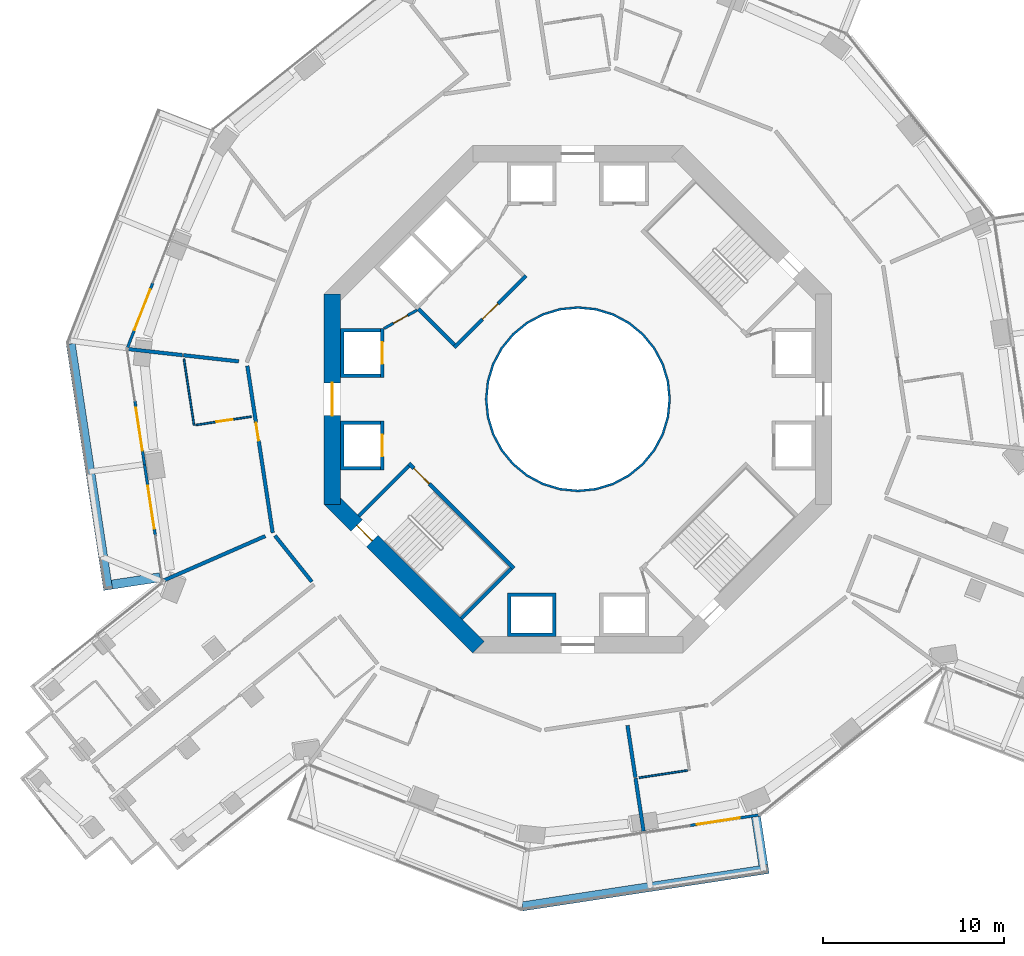
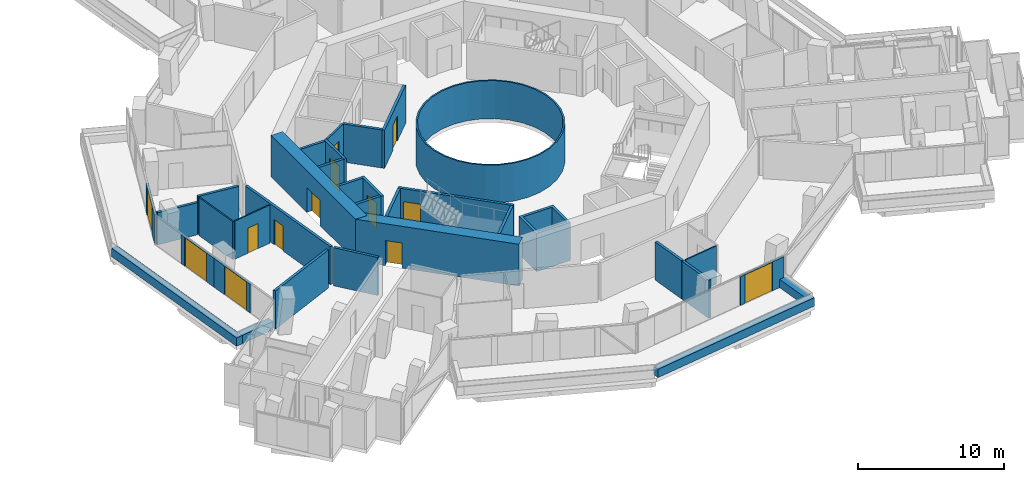
# One storey, part 20 of 28: 32 walls, 13 doors, 13 openings.
"""IFC4 building model written with IfcOpenShell, lengths in metres."""

from ifc_helpers import new_model, si_unit, direction, frame, frame_2d, origin, place, context, subcontext, project, spatial, polyline, rectangle, outline, extrude, material, layer, layer_set, type_object, element, fill, save


model = new_model("IFC4")

# Units and contexts
model_context = context("Model", 3, precision=1e-05, world=origin(), true_north=direction((0.0, 1.0)))
body_context = subcontext(model_context, "Body", "Model", "MODEL_VIEW")
ifc_project = project(units=[si_unit("LENGTHUNIT", "METRE"), si_unit("AREAUNIT", "SQUARE_METRE"), si_unit("VOLUMEUNIT", "CUBIC_METRE"), si_unit("PLANEANGLEUNIT", "RADIAN"), si_unit("MASSUNIT", "GRAM", prefix="KILO")], contexts=[model_context])

# Site, building, storey
site_placement = place(None, origin())
site = spatial("IfcSite", under=ifc_project, at=site_placement, CompositionType="ELEMENT")
building_placement = place(site_placement, origin())
building = spatial("IfcBuilding", under=site, at=building_placement, Name="Verdalira Terraces Hotel", CompositionType="ELEMENT")
storey_placement = place(building_placement, frame((0.0, 0.0, 68.0)))
storey = spatial("IfcBuildingStorey", under=building, at=storey_placement, Name="L15", CompositionType="ELEMENT", Elevation=68.0)

# Walls
ifc_material_1 = material(Name="Fire-resisting glass EI 180", Category="glass")
ifc_layer_1 = layer(ifc_material_1, 0.1201171875)
ifc_layer_set_1 = layer_set([ifc_layer_1], Name="Atrium fire screen 120 mm")
wall_type_1 = type_object("IfcWallType", Name="Atrium fire screen 120 mm", PredefinedType="SOLIDWALL", material=ifc_layer_set_1)
wall_1_placement = place(storey_placement, origin())
element("IfcWall", 1, at=wall_1_placement, inside=storey, type_object=wall_type_1, Name="Atrium fire screen", PredefinedType="SOLIDWALL", context=body_context, shape_type="SweptSolid", body=[
    extrude(outline(polyline([(5.021484, -0.998779), (4.730225, -1.959229), (4.25708, -2.844482), (3.620361, -3.620361), (2.844482, -4.25708), (1.959229, -4.730225), (0.998779, -5.021484), (0.0, -5.120117), (-0.998779, -5.021484), (-1.959229, -4.730225), (-2.844482, -4.25708), (-3.620361, -3.620361), (-4.25708, -2.844482), (-4.730225, -1.959229), (-5.021484, -0.998779), (-5.120117, 0.0), (-5.021484, 0.998779), (-4.730225, 1.959229), (-4.25708, 2.844482), (-3.620361, 3.620361), (-2.844482, 4.25708), (-1.959229, 4.730225), (-0.998779, 5.021484), (0.0, 5.120117), (0.998779, 5.021484), (1.959229, 4.730225), (2.844482, 4.25708), (3.620361, 3.620361), (4.25708, 2.844482), (4.730225, 1.959229), (5.021484, 0.998779), (5.120117, 0.0), (5.021484, -0.998779)]), holes=[polyline([(4.903809, 0.975586), (4.619385, 1.91333), (4.157227, 2.777832), (3.5354, 3.5354), (2.777832, 4.157227), (1.91333, 4.619385), (0.975586, 4.903809), (0.0, 5.0), (-0.975586, 4.903809), (-1.91333, 4.619385), (-2.777832, 4.157227), (-3.5354, 3.5354), (-4.157227, 2.777832), (-4.619385, 1.91333), (-4.903809, 0.975586), (-5.0, 0.0), (-4.903809, -0.975586), (-4.619385, -1.91333), (-4.157227, -2.777832), (-3.5354, -3.5354), (-2.777832, -4.157227), (-1.91333, -4.619385), (-0.975586, -4.903809), (0.0, -5.0), (0.975586, -4.903809), (1.91333, -4.619385), (2.777832, -4.157227), (3.5354, -3.5354), (4.157227, -2.777832), (4.619385, -1.91333), (4.903809, -0.975586), (5.0, 0.0), (4.903809, 0.975586)])]), origin(), (0.0, 0.0, 1.0), 3.189941),
])
ifc_material_2 = material(Name="Concrete C40", Category="concrete")
ifc_layer_2 = layer(ifc_material_2, 0.5)
ifc_layer_set_2 = layer_set([ifc_layer_2], Name="Balcony planter trough with tree")
wall_type_2 = type_object("IfcWallType", Name="Balcony planter trough with tree", PredefinedType="SOLIDWALL", material=ifc_layer_set_2)
wall_2_placement = place(storey_placement, frame((-27.984619, 3.054199, 0.0), z_axis=(0.0, 0.0, 1.0), x_axis=(0.150217471, -0.988652978, 0.0)))
element("IfcWall", 2, at=wall_2_placement, inside=storey, type_object=wall_type_2, Name="Balcony planter", PredefinedType="SOLIDWALL", context=body_context, shape_type="SweptSolid", body=[
    extrude(rectangle(XDim=13.723633, YDim=0.5, at=frame_2d((6.861816, 0.0))), origin(), (0.0, 0.0, 1.0), 0.699951),
])
wall_3_placement = place(storey_placement, frame((-25.713379, -10.229004, 0.0), z_axis=(0.0, 0.0, 1.0), x_axis=(0.988647191, 0.150255557, 0.0)))
element("IfcWall", 3, at=wall_3_placement, inside=storey, type_object=wall_type_2, Name="Balcony planter", PredefinedType="SOLIDWALL", context=body_context, shape_type="SweptSolid", body=[
    extrude(rectangle(XDim=2.69873, YDim=0.5, at=frame_2d((1.349365, 0.0))), origin(), (0.0, 0.0, 1.0), 0.699951),
])
wall_4_placement = place(storey_placement, frame((-3.054199, -27.984619, 0.0), z_axis=(0.0, 0.0, 1.0), x_axis=(0.988652978, 0.150217471, 0.0)))
element("IfcWall", 4, at=wall_4_placement, inside=storey, type_object=wall_type_2, Name="Balcony planter", PredefinedType="SOLIDWALL", context=body_context, shape_type="SweptSolid", body=[
    extrude(rectangle(XDim=13.723633, YDim=0.5, at=frame_2d((6.861816, 0.0))), origin(), (0.0, 0.0, 1.0), 0.699951),
])
wall_5_placement = place(storey_placement, frame((10.229004, -25.713379, 0.0), z_axis=(0.0, 0.0, 1.0), x_axis=(-0.150255557, 0.988647191, 0.0)))
element("IfcWall", 5, at=wall_5_placement, inside=storey, type_object=wall_type_2, Name="Balcony planter", PredefinedType="SOLIDWALL", context=body_context, shape_type="SweptSolid", body=[
    extrude(rectangle(XDim=2.69873, YDim=0.5, at=frame_2d((1.349365, 0.0))), origin(), (0.0, 0.0, 1.0), 0.699951),
])
ifc_material_3 = material(Name="Moisture-resistant gypsum board partition")
ifc_layer_3 = layer(ifc_material_3, 0.10009765625)
ifc_layer_set_3 = layer_set([ifc_layer_3], Name="Bathroom partition 100 mm")
wall_type_3 = type_object("IfcWallType", Name="Bathroom partition 100 mm", PredefinedType="PARTITIONING", material=ifc_layer_set_3)
wall_6_placement = place(storey_placement, frame((-21.182373, -1.440186, 0.0), z_axis=(0.0, 0.0, 1.0), x_axis=(-0.150219315, 0.988652698, 0.0)))
element("IfcWall", 6, at=wall_6_placement, inside=storey, type_object=wall_type_3, Name="Bathroom partition", PredefinedType="PARTITIONING", context=body_context, shape_type="SweptSolid", body=[
    extrude(rectangle(XDim=3.703857, YDim=0.100098, at=frame_2d((1.852051, 0.0))), origin(), (0.0, 0.0, 1.0), 3.189941),
])

# Wall, opening, door
wall_7_placement = place(storey_placement, frame((-21.083496, -1.425049, 0.0), z_axis=(0.0, 0.0, 1.0), x_axis=(0.988656748, 0.150192657, 0.0)))
wall_7 = element("IfcWall", 7, at=wall_7_placement, inside=storey, type_object=wall_type_3, Name="Bathroom partition", PredefinedType="PARTITIONING", context=body_context, shape_type="SweptSolid", body=[
    extrude(rectangle(XDim=3.099854, YDim=0.100098, at=frame_2d((1.549805, 0.0))), origin(), (0.0, 0.0, 1.0), 3.189941),
])
opening_1_placement = place(wall_7_placement, frame((1.149902, 0.0, 0.0)))
opening_1 = element("IfcOpeningElement", 8, at=opening_1_placement, cuts=wall_7, Name="Opening L15-113", PredefinedType="OPENING", context=body_context, shape_type="SweptSolid", body=[
    extrude(rectangle(XDim=0.899902, YDim=2.100098, at=frame_2d((0.449951, 1.050049))), frame((0.0, 0.060059, 0.0), z_axis=(0.0, -1.0, 0.0), x_axis=(1.0, 0.0, 0.0)), (0.0, 0.0, 1.0), 0.120117),
])
ifc_material_4 = material(Name="Timber door", Category="wood")
door_type_1 = type_object("IfcDoorType", Name="Bathroom door 900 x 2100", OperationType="NOTDEFINED", PredefinedType="DOOR", material=ifc_material_4)
door_1_placement = place(opening_1_placement, origin())
door_1 = element("IfcDoor", 9, at=door_1_placement, inside=storey, type_object=door_type_1, Name="Bathroom door 1505", OperationType="SINGLE_SWING_LEFT", OverallHeight=2.10009765625, OverallWidth=0.89990234375, PredefinedType="DOOR", context=body_context, shape_type="SweptSolid", body=[
    extrude(rectangle(XDim=0.899902, YDim=2.100098, at=frame_2d((0.449951, 1.050049))), frame((0.0, 0.024902, 0.0), z_axis=(0.0, -1.0, 0.0), x_axis=(1.0, 0.0, 0.0)), (0.0, 0.0, 1.0), 0.050049),
])
fill(opening_1, door_1)

# Walls
wall_8_placement = place(storey_placement, frame((6.045654, -20.482666, 0.0), z_axis=(0.0, 0.0, 1.0), x_axis=(-0.988657395, -0.150188397, 0.0)))
element("IfcWall", 10, at=wall_8_placement, inside=storey, type_object=wall_type_3, Name="Bathroom partition", PredefinedType="PARTITIONING", context=body_context, shape_type="SweptSolid", body=[
    extrude(rectangle(XDim=2.699951, YDim=0.100098, at=frame_2d((1.350098, 0.0))), origin(), (0.0, 0.0, 1.0), 3.189941),
])
ifc_material_5 = material(Name="Concrete C50", Category="concrete")
ifc_layer_4 = layer(ifc_material_5, 0.199951171875)
ifc_layer_set_4 = layer_set([ifc_layer_4], Name="Core RC wall 200 C50")
wall_type_4 = type_object("IfcWallType", Name="Core RC wall 200 C50", PredefinedType="SOLIDWALL", material=ifc_layer_set_4)
wall_9_placement = place(storey_placement, origin())
element("IfcWall", 11, at=wall_9_placement, inside=storey, type_object=wall_type_4, Name="L15 shaft wall W1", PredefinedType="SOLIDWALL", context=body_context, shape_type="SweptSolid", body=[
    extrude(outline(polyline([(-13.100098, 3.899902), (-10.899902, 3.899902), (-10.899902, 3.699951), (-12.899902, 3.699951), (-12.899902, 1.399902), (-10.899902, 1.399902), (-10.899902, 1.199951), (-13.100098, 1.199951), (-13.100098, 3.899902)])), origin(), (0.0, 0.0, 1.0), 3.189941),
])

# Wall, opening, door
wall_10_placement = place(storey_placement, frame((-10.800049, 1.199951, 0.0), z_axis=(0.0, 0.0, 1.0), x_axis=(0.0, 1.0, 0.0)))
wall_10 = element("IfcWall", 12, at=wall_10_placement, inside=storey, type_object=wall_type_4, Name="L15 shaft front wall W1", PredefinedType="SOLIDWALL", context=body_context, shape_type="SweptSolid", body=[
    extrude(rectangle(XDim=2.699951, YDim=0.199951, at=frame_2d((1.350098, 0.0))), origin(), (0.0, 0.0, 1.0), 3.189941),
])
opening_2_placement = place(wall_10_placement, frame((0.75, 0.0, 0.0)))
opening_2 = element("IfcOpeningElement", 13, at=opening_2_placement, cuts=wall_10, Name="Opening LD-L15-805", PredefinedType="OPENING", context=body_context, shape_type="SweptSolid", body=[
    extrude(rectangle(XDim=1.199951, YDim=2.100098, at=frame_2d((0.600098, 1.050049))), frame((0.0, 0.109863, 0.0), z_axis=(0.0, -1.0, 0.0), x_axis=(1.0, 0.0, 0.0)), (0.0, 0.0, 1.0), 0.219971),
])
ifc_material_6 = material(Name="Stainless steel", Category="steel")
door_type_2 = type_object("IfcDoorType", Name="Landing door 1200 x 2100", OperationType="NOTDEFINED", PredefinedType="DOOR", material=ifc_material_6)
door_2_placement = place(opening_2_placement, origin())
door_2 = element("IfcDoor", 14, at=door_2_placement, inside=storey, type_object=door_type_2, Name="Lift landing door LR5 L15", OperationType="DOUBLE_DOOR_SLIDING", OverallHeight=2.10009765625, OverallWidth=1.199951171875, PredefinedType="DOOR", context=body_context, shape_type="SweptSolid", body=[
    extrude(rectangle(XDim=1.199951, YDim=2.100098, at=frame_2d((0.600098, 1.050049))), frame((0.0, 0.024902, 0.0), z_axis=(0.0, -1.0, 0.0), x_axis=(1.0, 0.0, 0.0)), (0.0, 0.0, 1.0), 0.050049),
])
fill(opening_2, door_2)

# Wall
wall_11_placement = place(storey_placement, origin())
element("IfcWall", 15, at=wall_11_placement, inside=storey, type_object=wall_type_4, Name="L15 shaft wall W2", PredefinedType="SOLIDWALL", context=body_context, shape_type="SweptSolid", body=[
    extrude(outline(polyline([(-13.100098, -3.899902), (-13.100098, -1.199951), (-10.899902, -1.199951), (-10.899902, -1.399902), (-12.899902, -1.399902), (-12.899902, -3.699951), (-10.899902, -3.699951), (-10.899902, -3.899902), (-13.100098, -3.899902)])), origin(), (0.0, 0.0, 1.0), 3.189941),
])

# Wall, opening, door
wall_12_placement = place(storey_placement, frame((-10.800049, -1.199951, 0.0), z_axis=(0.0, 0.0, 1.0), x_axis=(0.0, -1.0, 0.0)))
wall_12 = element("IfcWall", 16, at=wall_12_placement, inside=storey, type_object=wall_type_4, Name="L15 shaft front wall W2", PredefinedType="SOLIDWALL", context=body_context, shape_type="SweptSolid", body=[
    extrude(rectangle(XDim=2.699951, YDim=0.199951, at=frame_2d((1.350098, 0.0))), origin(), (0.0, 0.0, 1.0), 3.189941),
])
opening_3_placement = place(wall_12_placement, frame((0.75, 0.0, 0.0)))
opening_3 = element("IfcOpeningElement", 17, at=opening_3_placement, cuts=wall_12, Name="Opening LD-L15-806", PredefinedType="OPENING", context=body_context, shape_type="SweptSolid", body=[
    extrude(rectangle(XDim=1.199951, YDim=2.100098, at=frame_2d((0.600098, 1.050049))), frame((0.0, 0.109863, 0.0), z_axis=(0.0, -1.0, 0.0), x_axis=(1.0, 0.0, 0.0)), (0.0, 0.0, 1.0), 0.219971),
])
door_3_placement = place(opening_3_placement, origin())
door_3 = element("IfcDoor", 18, at=door_3_placement, inside=storey, type_object=door_type_2, Name="Lift landing door LR6 L15", OperationType="DOUBLE_DOOR_SLIDING", OverallHeight=2.10009765625, OverallWidth=1.199951171875, PredefinedType="DOOR", context=body_context, shape_type="SweptSolid", body=[
    extrude(rectangle(XDim=1.199951, YDim=2.100098, at=frame_2d((0.600098, 1.050049))), frame((0.0, 0.024902, 0.0), z_axis=(0.0, -1.0, 0.0), x_axis=(1.0, 0.0, 0.0)), (0.0, 0.0, 1.0), 0.050049),
])
fill(opening_3, door_3)

# Wall
wall_13_placement = place(storey_placement, origin())
element("IfcWall", 19, at=wall_13_placement, inside=storey, type_object=wall_type_4, Name="L15 shaft wall S1", PredefinedType="SOLIDWALL", context=body_context, shape_type="SweptSolid", body=[
    extrude(outline(polyline([(-1.199951, -13.100098), (-3.899902, -13.100098), (-3.899902, -10.699951), (-1.199951, -10.699951), (-1.199951, -13.100098)]), holes=[polyline([(-3.699951, -10.899902), (-3.699951, -12.899902), (-1.399902, -12.899902), (-1.399902, -10.899902), (-3.699951, -10.899902)])]), origin(), (0.0, 0.0, 1.0), 3.189941),
])

# Wall, opening, door
wall_14_placement = place(storey_placement, frame((-3.5354, -9.33374, 0.0), z_axis=(0.0, 0.0, 1.0), x_axis=(-0.707106781, 0.707106781, 0.0)))
wall_14 = element("IfcWall", 20, at=wall_14_placement, inside=storey, type_object=wall_type_4, Name="L15 stair ST2 front wall", PredefinedType="SOLIDWALL", context=body_context, shape_type="SweptSolid", body=[
    extrude(rectangle(XDim=8.200195, YDim=0.199951, at=frame_2d((4.100098, 0.0))), origin(), (0.0, 0.0, 1.0), 3.189941),
])
opening_4_placement = place(wall_14_placement, frame((6.600098, 0.0, 0.0)))
opening_4 = element("IfcOpeningElement", 21, at=opening_4_placement, cuts=wall_14, Name="Opening L15-810", PredefinedType="OPENING", context=body_context, shape_type="SweptSolid", body=[
    extrude(rectangle(XDim=1.199951, YDim=2.100098, at=frame_2d((0.600098, 1.050049))), frame((0.0, 0.109863, 0.0), z_axis=(0.0, -1.0, 0.0), x_axis=(1.0, 0.0, 0.0)), (0.0, 0.0, 1.0), 0.219971),
])
ifc_material_7 = material(Name="Steel fire door", Category="steel")
door_type_3 = type_object("IfcDoorType", Name="Stair door 1200 x 2100", OperationType="NOTDEFINED", PredefinedType="DOOR", material=ifc_material_7)
door_4_placement = place(opening_4_placement, origin())
door_4 = element("IfcDoor", 22, at=door_4_placement, inside=storey, type_object=door_type_3, Name="Stair door ST2 L15", OperationType="SINGLE_SWING_RIGHT", OverallHeight=2.10009765625, OverallWidth=1.199951171875, PredefinedType="DOOR", context=body_context, shape_type="SweptSolid", body=[
    extrude(rectangle(XDim=1.199951, YDim=2.100098, at=frame_2d((0.600098, 1.050049))), frame((0.0, 0.024902, 0.0), z_axis=(0.0, -1.0, 0.0), x_axis=(1.0, 0.0, 0.0)), (0.0, 0.0, 1.0), 0.050049),
])
fill(opening_4, door_4)

# Walls
for number, where, z_axis, x_axis, name in (
    (23, (-9.33374, -3.677002, 0.0), (0.0, 0.0, 1.0), (-0.707106781, -0.707106781, 0.0), "L15 stair ST2 end wall 1"),
    (24, (-3.677002, -9.33374, 0.0), (0.0, 0.0, 1.0), (-0.707106781, -0.707106781, 0.0), "L15 stair ST2 end wall 2"),
):
    element("IfcWall", number, at=place(storey_placement, frame(where, z_axis=z_axis, x_axis=x_axis)), inside=storey, type_object=wall_type_4, Name=name, PredefinedType="SOLIDWALL", context=body_context, shape_type="SweptSolid", body=[
        extrude(rectangle(XDim=3.900146, YDim=0.199951, at=frame_2d((1.950195, 0.0))), origin(), (0.0, 0.0, 1.0), 3.189941),
    ])

# Wall, opening, door
wall_15_placement = place(storey_placement, frame((-2.86377, 6.823486, 0.0), z_axis=(0.0, 0.0, 1.0), x_axis=(-0.707106781, -0.707106781, 0.0)))
wall_15 = element("IfcWall", 25, at=wall_15_placement, inside=storey, type_object=wall_type_4, Name="L15 fire lobby wall", PredefinedType="SOLIDWALL", context=body_context, shape_type="SweptSolid", body=[
    extrude(rectangle(XDim=5.599854, YDim=0.199951, at=frame_2d((2.799805, 0.0))), origin(), (0.0, 0.0, 1.0), 3.189941),
])
opening_5_placement = place(wall_15_placement, frame((2.199951, 0.0, 0.0)))
opening_5 = element("IfcOpeningElement", 26, at=opening_5_placement, cuts=wall_15, Name="Opening L15-819", PredefinedType="OPENING", context=body_context, shape_type="SweptSolid", body=[
    extrude(rectangle(XDim=1.199951, YDim=2.100098, at=frame_2d((0.600098, 1.050049))), frame((0.0, 0.109863, 0.0), z_axis=(0.0, -1.0, 0.0), x_axis=(1.0, 0.0, 0.0)), (0.0, 0.0, 1.0), 0.219971),
])
ifc_material_8 = material(Name="Steel fire door", Category="steel")
door_type_4 = type_object("IfcDoorType", Name="Lobby door 1200 x 2100", OperationType="NOTDEFINED", PredefinedType="DOOR", material=ifc_material_8)
door_5_placement = place(opening_5_placement, origin())
door_5 = element("IfcDoor", 27, at=door_5_placement, inside=storey, type_object=door_type_4, Name="Fire lobby door L15", OperationType="SINGLE_SWING_LEFT", OverallHeight=2.10009765625, OverallWidth=1.199951171875, PredefinedType="DOOR", context=body_context, shape_type="SweptSolid", body=[
    extrude(rectangle(XDim=1.199951, YDim=2.100098, at=frame_2d((0.600098, 1.050049))), frame((0.0, 0.024902, 0.0), z_axis=(0.0, -1.0, 0.0), x_axis=(1.0, 0.0, 0.0)), (0.0, 0.0, 1.0), 0.050049),
])
fill(opening_5, door_5)

# Wall
wall_16_placement = place(storey_placement, frame((-6.823486, 3.005127, 0.0), z_axis=(0.0, 0.0, 1.0), x_axis=(-0.707106781, 0.707106781, 0.0)))
element("IfcWall", 28, at=wall_16_placement, inside=storey, type_object=wall_type_4, Name="L15 fire lobby wall", PredefinedType="SOLIDWALL", context=body_context, shape_type="SweptSolid", body=[
    extrude(rectangle(XDim=2.800049, YDim=0.199951, at=frame_2d((1.399902, 0.0))), origin(), (0.0, 0.0, 1.0), 3.189941),
])

# Wall, opening, door
ifc_material_9 = material(Name="Gypsum board partition")
ifc_layer_5 = layer(ifc_material_9, 0.14990234375)
ifc_layer_set_5 = layer_set([ifc_layer_5], Name="Core partition 150 mm")
wall_type_5 = type_object("IfcWallType", Name="Core partition 150 mm", PredefinedType="PARTITIONING", material=ifc_layer_set_5)
wall_17_placement = place(storey_placement, frame((-8.874268, 4.914307, 0.0), z_axis=(0.0, 0.0, 1.0), x_axis=(-0.874129705, -0.485692555, 0.0)))
wall_17 = element("IfcWall", 29, at=wall_17_placement, inside=storey, type_object=wall_type_5, Name="Room partition L15", PredefinedType="PARTITIONING", context=body_context, shape_type="SweptSolid", body=[
    extrude(rectangle(XDim=2.088623, YDim=0.149902, at=frame_2d((1.044434, 0.0))), origin(), (0.0, 0.0, 1.0), 3.189941),
])
opening_6_placement = place(wall_17_placement, frame((0.594238, 0.0, 0.0)))
opening_6 = element("IfcOpeningElement", 30, at=opening_6_placement, cuts=wall_17, Name="Opening L15-822", PredefinedType="OPENING", context=body_context, shape_type="SweptSolid", body=[
    extrude(rectangle(XDim=0.899902, YDim=2.100098, at=frame_2d((0.449951, 1.050049))), frame((0.0, 0.084961, 0.0), z_axis=(0.0, -1.0, 0.0), x_axis=(1.0, 0.0, 0.0)), (0.0, 0.0, 1.0), 0.169922),
])
ifc_material_10 = material(Name="Steel fire door", Category="steel")
door_type_5 = type_object("IfcDoorType", Name="Core room door 900 x 2100", OperationType="NOTDEFINED", PredefinedType="DOOR", material=ifc_material_10)
door_6_placement = place(opening_6_placement, origin())
door_6 = element("IfcDoor", 31, at=door_6_placement, inside=storey, type_object=door_type_5, Name="Door L15 room3", OperationType="SINGLE_SWING_LEFT", OverallHeight=2.10009765625, OverallWidth=0.89990234375, PredefinedType="DOOR", context=body_context, shape_type="SweptSolid", body=[
    extrude(rectangle(XDim=0.899902, YDim=2.100098, at=frame_2d((0.449951, 1.050049))), frame((0.0, 0.024902, 0.0), z_axis=(0.0, -1.0, 0.0), x_axis=(1.0, 0.0, 0.0)), (0.0, 0.0, 1.0), 0.050049),
])
fill(opening_6, door_6)

ifc_material_11 = material(Name="Concrete C70", Category="concrete")
ifc_layer_6 = layer(ifc_material_11, 0.89990234375)
ifc_layer_set_6 = layer_set([ifc_layer_6], Name="Core wall 900 C70")
wall_type_6 = type_object("IfcWallType", Name="Core wall 900 C70", PredefinedType="SHEAR", material=ifc_layer_set_6)
wall_18_placement = place(storey_placement, frame((-13.550049, 5.799072, 0.0), z_axis=(0.0, 0.0, 1.0), x_axis=(0.0, -1.0, 0.0)))
wall_18 = element("IfcWall", 32, at=wall_18_placement, inside=storey, type_object=wall_type_6, Name="Core wall CW-L15-5", PredefinedType="SHEAR", context=body_context, shape_type="SweptSolid", body=[
    extrude(rectangle(XDim=11.598145, YDim=0.899902, at=frame_2d((5.799072, 0.0))), origin(), (0.0, 0.0, 1.0), 3.5),
])
opening_7_placement = place(wall_18_placement, frame((4.898926, 0.0, 0.0)))
opening_7 = element("IfcOpeningElement", 33, at=opening_7_placement, cuts=wall_18, Name="Opening L15-814", PredefinedType="OPENING", context=body_context, shape_type="SweptSolid", body=[
    extrude(rectangle(XDim=1.800049, YDim=2.100098, at=frame_2d((0.899902, 1.050049))), frame((0.0, 0.459961, 0.0), z_axis=(0.0, -1.0, 0.0), x_axis=(1.0, 0.0, 0.0)), (0.0, 0.0, 1.0), 0.919922),
])
ifc_material_12 = material(Name="Steel fire door", Category="steel")
door_type_6 = type_object("IfcDoorType", Name="Core entry door pair 1800 x 2100", OperationType="NOTDEFINED", PredefinedType="DOOR", material=ifc_material_12)
door_7_placement = place(opening_7_placement, origin())
door_7 = element("IfcDoor", 34, at=door_7_placement, inside=storey, type_object=door_type_6, Name="Core entry door L15 4", OperationType="DOUBLE_DOOR_SINGLE_SWING", OverallHeight=2.10009765625, OverallWidth=1.800048828125, PredefinedType="DOOR", context=body_context, shape_type="SweptSolid", body=[
    extrude(rectangle(XDim=1.800049, YDim=2.100098, at=frame_2d((0.899902, 1.050049))), frame((0.0, 0.024902, 0.0), z_axis=(0.0, -1.0, 0.0), x_axis=(1.0, 0.0, 0.0)), (0.0, 0.0, 1.0), 0.050049),
])
fill(opening_7, door_7)

wall_19_placement = place(storey_placement, frame((-13.681885, -5.480713, 0.0), z_axis=(0.0, 0.0, 1.0), x_axis=(0.707106781, -0.707106781, 0.0)))
wall_19 = element("IfcWall", 35, at=wall_19_placement, inside=storey, type_object=wall_type_6, Name="Core wall CW-L15-6", PredefinedType="SHEAR", context=body_context, shape_type="SweptSolid", body=[
    extrude(rectangle(XDim=11.598145, YDim=0.899902, at=frame_2d((5.799072, 0.0))), origin(), (0.0, 0.0, 1.0), 3.5),
])
opening_8_placement = place(wall_19_placement, frame((2.099121, 0.0, 0.0)))
opening_8 = element("IfcOpeningElement", 36, at=opening_8_placement, cuts=wall_19, Name="Opening L15-817", PredefinedType="OPENING", context=body_context, shape_type="SweptSolid", body=[
    extrude(rectangle(XDim=1.199951, YDim=2.100098, at=frame_2d((0.600098, 1.050049))), frame((0.0, 0.459961, 0.0), z_axis=(0.0, -1.0, 0.0), x_axis=(1.0, 0.0, 0.0)), (0.0, 0.0, 1.0), 0.919922),
])
door_8_placement = place(opening_8_placement, origin())
door_8 = element("IfcDoor", 37, at=door_8_placement, inside=storey, type_object=door_type_3, Name="Stair exit door ST2 L15", OperationType="SINGLE_SWING_LEFT", OverallHeight=2.10009765625, OverallWidth=1.199951171875, PredefinedType="DOOR", context=body_context, shape_type="SweptSolid", body=[
    extrude(rectangle(XDim=1.199951, YDim=2.100098, at=frame_2d((0.600098, 1.050049))), frame((0.0, 0.024902, 0.0), z_axis=(0.0, -1.0, 0.0), x_axis=(1.0, 0.0, 0.0)), (0.0, 0.0, 1.0), 0.050049),
])
fill(opening_8, door_8)

# Walls
ifc_material_13 = material(Name="Fire-rated gypsum board wall")
ifc_layer_7 = layer(ifc_material_13, 0.199951171875)
ifc_layer_set_7 = layer_set([ifc_layer_7], Name="Demising wall 200 mm")
wall_type_7 = type_object("IfcWallType", Name="Demising wall 200 mm", PredefinedType="SOLIDWALL", material=ifc_layer_set_7)
wall_20_placement = place(storey_placement, frame((-18.716064, 2.086182, 0.0), z_axis=(0.0, 0.0, 1.0), x_axis=(-0.993846884, 0.110762675, 0.0)))
element("IfcWall", 38, at=wall_20_placement, inside=storey, type_object=wall_type_7, Name="Demising wall", PredefinedType="SOLIDWALL", context=body_context, shape_type="SweptSolid", body=[
    extrude(rectangle(XDim=3.074707, YDim=0.199951, at=frame_2d((1.537354, 0.0))), origin(), (0.0, 0.0, 1.0), 3.189941),
])
wall_21_placement = place(storey_placement, frame((-17.251709, -7.551514, 0.0), z_axis=(0.0, 0.0, 1.0), x_axis=(-0.916090617, -0.400971298, 0.0)))
element("IfcWall", 39, at=wall_21_placement, inside=storey, type_object=wall_type_7, Name="Demising wall", PredefinedType="SOLIDWALL", context=body_context, shape_type="SweptSolid", body=[
    extrude(rectangle(XDim=6.13208, YDim=0.199951, at=frame_2d((3.065918, 0.0))), origin(), (0.0, 0.0, 1.0), 3.189941),
])
wall_22_placement = place(storey_placement, frame((2.734863, -17.999023, 0.0), z_axis=(0.0, 0.0, 1.0), x_axis=(0.15027592, -0.988644096, 0.0)))
element("IfcWall", 40, at=wall_22_placement, inside=storey, type_object=wall_type_7, Name="Demising wall", PredefinedType="SOLIDWALL", context=body_context, shape_type="SweptSolid", body=[
    extrude(rectangle(XDim=2.904785, YDim=0.199951, at=frame_2d((1.452393, 0.0))), origin(), (0.0, 0.0, 1.0), 3.189941),
])
wall_23_placement = place(storey_placement, frame((3.178223, -20.91626, 0.0), z_axis=(0.0, 0.0, 1.0), x_axis=(0.150192463, -0.988656778, 0.0)))
element("IfcWall", 41, at=wall_23_placement, inside=storey, type_object=wall_type_7, Name="Demising wall", PredefinedType="SOLIDWALL", context=body_context, shape_type="SweptSolid", body=[
    extrude(rectangle(XDim=2.951904, YDim=0.199951, at=frame_2d((1.476074, 0.0))), origin(), (0.0, 0.0, 1.0), 3.189941),
])
ifc_material_14 = material(Name="Fire-rated gypsum board wall")
ifc_layer_8 = layer(ifc_material_14, 0.199951171875)
ifc_layer_set_8 = layer_set([ifc_layer_8], Name="Demising wall 200 mm to beam soffit")
wall_type_8 = type_object("IfcWallType", Name="Demising wall 200 mm to beam soffit", PredefinedType="SOLIDWALL", material=ifc_layer_set_8)
wall_24_placement = place(storey_placement, frame((-21.817383, 2.431885, 0.0), z_axis=(0.0, 0.0, 1.0), x_axis=(-0.993849082, 0.110742952, 0.0)))
element("IfcWall", 42, at=wall_24_placement, inside=storey, type_object=wall_type_8, Name="Demising wall", PredefinedType="SOLIDWALL", context=body_context, shape_type="SweptSolid", body=[
    extrude(rectangle(XDim=3.011475, YDim=0.199951, at=frame_2d((1.505859, 0.0))), origin(), (0.0, 0.0, 1.0), 2.689941),
])

# Wall, opening, door
ifc_material_15 = material(Name="Fire-rated gypsum board wall")
ifc_layer_9 = layer(ifc_material_15, 0.199951171875)
ifc_layer_set_9 = layer_set([ifc_layer_9], Name="Guest corridor wall 200 mm")
wall_type_9 = type_object("IfcWallType", Name="Guest corridor wall 200 mm", PredefinedType="SOLIDWALL", material=ifc_layer_set_9)
wall_25_placement = place(storey_placement, frame((-16.842041, -7.37207, 0.0), z_axis=(0.0, 0.0, 1.0), x_axis=(-0.150231533, 0.988650842, 0.0)))
wall_25 = element("IfcWall", 43, at=wall_25_placement, inside=storey, type_object=wall_type_9, Name="Guest corridor wall", PredefinedType="SOLIDWALL", context=body_context, shape_type="SweptSolid", body=[
    extrude(rectangle(XDim=9.31665, YDim=0.199951, at=frame_2d((4.658203, 0.0))), origin(), (0.0, 0.0, 1.0), 3.189941),
])
opening_9_placement = place(wall_25_placement, frame((5.149902, 0.0, 0.0)))
opening_9 = element("IfcOpeningElement", 44, at=opening_9_placement, cuts=wall_25, Name="Opening L15-112", PredefinedType="OPENING", context=body_context, shape_type="SweptSolid", body=[
    extrude(rectangle(XDim=1.0, YDim=2.100098, at=frame_2d((0.5, 1.050049))), frame((0.0, 0.109863, 0.0), z_axis=(0.0, -1.0, 0.0), x_axis=(1.0, 0.0, 0.0)), (0.0, 0.0, 1.0), 0.219971),
])
ifc_material_16 = material(Name="Timber fire door", Category="wood")
door_type_7 = type_object("IfcDoorType", Name="Guest entry door 1000 x 2100", OperationType="NOTDEFINED", PredefinedType="DOOR", material=ifc_material_16)
door_9_placement = place(opening_9_placement, origin())
door_9 = element("IfcDoor", 45, at=door_9_placement, inside=storey, type_object=door_type_7, Name="Guest entry door 1505", OperationType="SINGLE_SWING_LEFT", OverallHeight=2.10009765625, OverallWidth=1.0, PredefinedType="DOOR", context=body_context, shape_type="SweptSolid", body=[
    extrude(rectangle(XDim=1.0, YDim=2.100098, at=frame_2d((0.5, 1.050049))), frame((0.0, 0.024902, 0.0), z_axis=(0.0, -1.0, 0.0), x_axis=(1.0, 0.0, 0.0)), (0.0, 0.0, 1.0), 0.050049),
])
fill(opening_9, door_9)

# Wall
wall_26_placement = place(storey_placement, frame((-16.717041, -7.52832, 0.0), z_axis=(0.0, 0.0, 1.0), x_axis=(0.624411725, -0.781095383, 0.0)))
element("IfcWall", 46, at=wall_26_placement, inside=storey, type_object=wall_type_9, Name="Guest corridor wall", PredefinedType="SOLIDWALL", context=body_context, shape_type="SweptSolid", body=[
    extrude(rectangle(XDim=3.258057, YDim=0.199951, at=frame_2d((1.628906, 0.0))), origin(), (0.0, 0.0, 1.0), 3.189941),
])

# Wall, opening, door
ifc_material_17 = material(Name="Terracotta cladding", Category="masonry")
ifc_layer_10 = layer(ifc_material_17, 0.14990234375)
ifc_layer_set_10 = layer_set([ifc_layer_10], Name="Terracotta door pier 150")
wall_type_10 = type_object("IfcWallType", Name="Terracotta door pier 150", PredefinedType="SOLIDWALL", material=ifc_layer_set_10)
wall_27_placement = place(storey_placement, frame((-23.453857, 6.425781, 0.0), z_axis=(0.0, 0.0, 1.0), x_axis=(-0.364257976, -0.931298087, 0.0)))
wall_27 = element("IfcWall", 47, at=wall_27_placement, inside=storey, type_object=wall_type_10, Name="Terracotta door pier", PredefinedType="SOLIDWALL", context=body_context, shape_type="SweptSolid", body=[
    extrude(rectangle(XDim=3.841797, YDim=0.149902, at=frame_2d((1.920898, 0.0))), origin(), (0.0, 0.0, 1.0), 2.425049),
])
opening_10_placement = place(wall_27_placement, frame((0.399902, 0.0, 0.0)))
opening_10 = element("IfcOpeningElement", 48, at=opening_10_placement, cuts=wall_27, Name="Opening L15-B08", PredefinedType="OPENING", context=body_context, shape_type="SweptSolid", body=[
    extrude(rectangle(XDim=2.399902, YDim=2.399902, at=frame_2d((1.199951, 1.199951))), frame((0.0, 0.084961, 0.0), z_axis=(0.0, -1.0, 0.0), x_axis=(1.0, 0.0, 0.0)), (0.0, 0.0, 1.0), 0.169922),
])
ifc_material_18 = material(Name="Clear glass", Category="glass")
door_type_8 = type_object("IfcDoorType", Name="Balcony sliding door 2400x2400", OperationType="NOTDEFINED", PredefinedType="DOOR", material=ifc_material_18)
door_10_placement = place(opening_10_placement, origin())
door_10 = element("IfcDoor", 49, at=door_10_placement, inside=storey, type_object=door_type_8, Name="Balcony sliding door", OperationType="SLIDING_TO_RIGHT", OverallHeight=2.39990234375, OverallWidth=2.39990234375, PredefinedType="DOOR", context=body_context, shape_type="SweptSolid", body=[
    extrude(rectangle(XDim=2.399902, YDim=2.399902, at=frame_2d((1.199951, 1.199951))), frame((0.0, 0.024902, 0.0), z_axis=(0.0, -1.0, 0.0), x_axis=(1.0, 0.0, 0.0)), (0.0, 0.0, 1.0), 0.050049),
])
fill(opening_10, door_10)

wall_28_placement = place(storey_placement, frame((-24.449707, -0.07373, 0.0), z_axis=(0.0, 0.0, 1.0), x_axis=(0.150207135, -0.988654549, 0.0)))
wall_28 = element("IfcWall", 50, at=wall_28_placement, inside=storey, type_object=wall_type_10, Name="Terracotta door pier", PredefinedType="SOLIDWALL", context=body_context, shape_type="SweptSolid", body=[
    extrude(rectangle(XDim=3.600098, YDim=0.149902, at=frame_2d((1.800049, 0.0))), origin(), (0.0, 0.0, 1.0), 2.425049),
])
opening_11_placement = place(wall_28_placement, frame((0.399902, 0.0, 0.0)))
opening_11 = element("IfcOpeningElement", 51, at=opening_11_placement, cuts=wall_28, Name="Opening L15-B09", PredefinedType="OPENING", context=body_context, shape_type="SweptSolid", body=[
    extrude(rectangle(XDim=2.399902, YDim=2.399902, at=frame_2d((1.199951, 1.199951))), frame((0.0, 0.084961, 0.0), z_axis=(0.0, -1.0, 0.0), x_axis=(1.0, 0.0, 0.0)), (0.0, 0.0, 1.0), 0.169922),
])
door_11_placement = place(opening_11_placement, origin())
door_11 = element("IfcDoor", 52, at=door_11_placement, inside=storey, type_object=door_type_8, Name="Balcony sliding door", OperationType="SLIDING_TO_RIGHT", OverallHeight=2.39990234375, OverallWidth=2.39990234375, PredefinedType="DOOR", context=body_context, shape_type="SweptSolid", body=[
    extrude(rectangle(XDim=2.399902, YDim=2.399902, at=frame_2d((1.199951, 1.199951))), frame((0.0, 0.024902, 0.0), z_axis=(0.0, -1.0, 0.0), x_axis=(1.0, 0.0, 0.0)), (0.0, 0.0, 1.0), 0.050049),
])
fill(opening_11, door_11)

wall_29_placement = place(storey_placement, frame((-23.908936, -3.633057, 0.0), z_axis=(0.0, 0.0, 1.0), x_axis=(0.150227192, -0.988651501, 0.0)))
wall_29 = element("IfcWall", 53, at=wall_29_placement, inside=storey, type_object=wall_type_10, Name="Terracotta door pier", PredefinedType="SOLIDWALL", context=body_context, shape_type="SweptSolid", body=[
    extrude(rectangle(XDim=3.960449, YDim=0.149902, at=frame_2d((1.980225, 0.0))), origin(), (0.0, 0.0, 1.0), 2.425049),
])
opening_12_placement = place(wall_29_placement, frame((1.1604, 0.0, 0.0)))
opening_12 = element("IfcOpeningElement", 54, at=opening_12_placement, cuts=wall_29, Name="Opening L15-B10", PredefinedType="OPENING", context=body_context, shape_type="SweptSolid", body=[
    extrude(rectangle(XDim=2.399902, YDim=2.399902, at=frame_2d((1.199951, 1.199951))), frame((0.0, 0.084961, 0.0), z_axis=(0.0, -1.0, 0.0), x_axis=(1.0, 0.0, 0.0)), (0.0, 0.0, 1.0), 0.169922),
])
door_12_placement = place(opening_12_placement, origin())
door_12 = element("IfcDoor", 55, at=door_12_placement, inside=storey, type_object=door_type_8, Name="Balcony sliding door", OperationType="SLIDING_TO_LEFT", OverallHeight=2.39990234375, OverallWidth=2.39990234375, PredefinedType="DOOR", context=body_context, shape_type="SweptSolid", body=[
    extrude(rectangle(XDim=2.399902, YDim=2.399902, at=frame_2d((1.199951, 1.199951))), frame((0.0, 0.024902, 0.0), z_axis=(0.0, -1.0, 0.0), x_axis=(1.0, 0.0, 0.0)), (0.0, 0.0, 1.0), 0.050049),
])
fill(opening_12, door_12)

wall_30_placement = place(storey_placement, frame((6.162109, -23.524658, 0.0), z_axis=(0.0, 0.0, 1.0), x_axis=(0.988650664, 0.150232704, 0.0)))
wall_30 = element("IfcWall", 56, at=wall_30_placement, inside=storey, type_object=wall_type_10, Name="Terracotta door pier", PredefinedType="SOLIDWALL", context=body_context, shape_type="SweptSolid", body=[
    extrude(rectangle(XDim=3.841797, YDim=0.149902, at=frame_2d((1.920898, 0.0))), origin(), (0.0, 0.0, 1.0), 2.425049),
])
opening_13_placement = place(wall_30_placement, frame((0.399902, 0.0, 0.0)))
opening_13 = element("IfcOpeningElement", 57, at=opening_13_placement, cuts=wall_30, Name="Opening L15-B14", PredefinedType="OPENING", context=body_context, shape_type="SweptSolid", body=[
    extrude(rectangle(XDim=2.399902, YDim=2.399902, at=frame_2d((1.199951, 1.199951))), frame((0.0, 0.084961, 0.0), z_axis=(0.0, -1.0, 0.0), x_axis=(1.0, 0.0, 0.0)), (0.0, 0.0, 1.0), 0.169922),
])
door_13_placement = place(opening_13_placement, origin())
door_13 = element("IfcDoor", 58, at=door_13_placement, inside=storey, type_object=door_type_8, Name="Balcony sliding door", OperationType="SLIDING_TO_RIGHT", OverallHeight=2.39990234375, OverallWidth=2.39990234375, PredefinedType="DOOR", context=body_context, shape_type="SweptSolid", body=[
    extrude(rectangle(XDim=2.399902, YDim=2.399902, at=frame_2d((1.199951, 1.199951))), frame((0.0, 0.024902, 0.0), z_axis=(0.0, -1.0, 0.0), x_axis=(1.0, 0.0, 0.0)), (0.0, 0.0, 1.0), 0.050049),
])
fill(opening_13, door_13)

save(model, "model.ifc")
